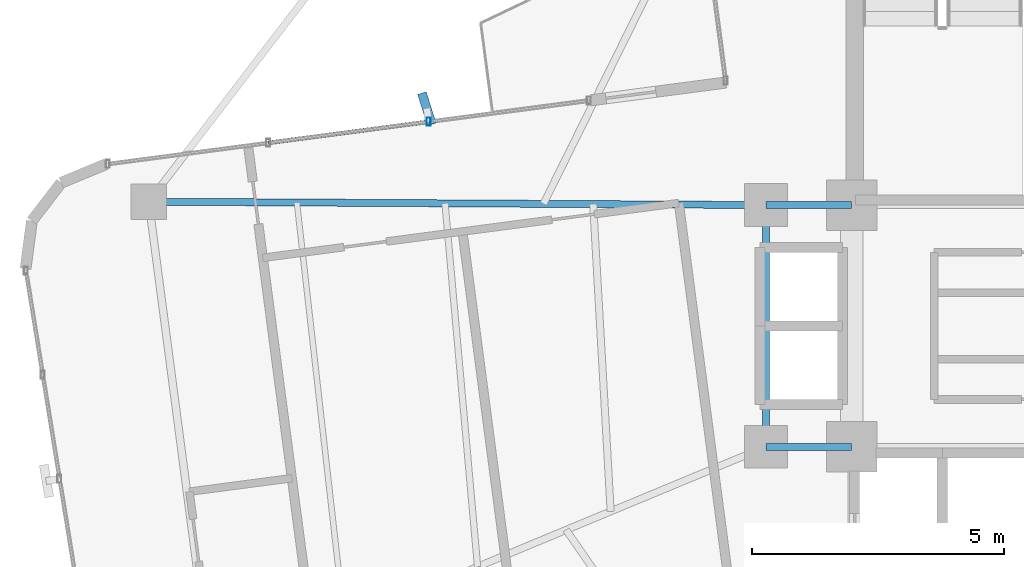
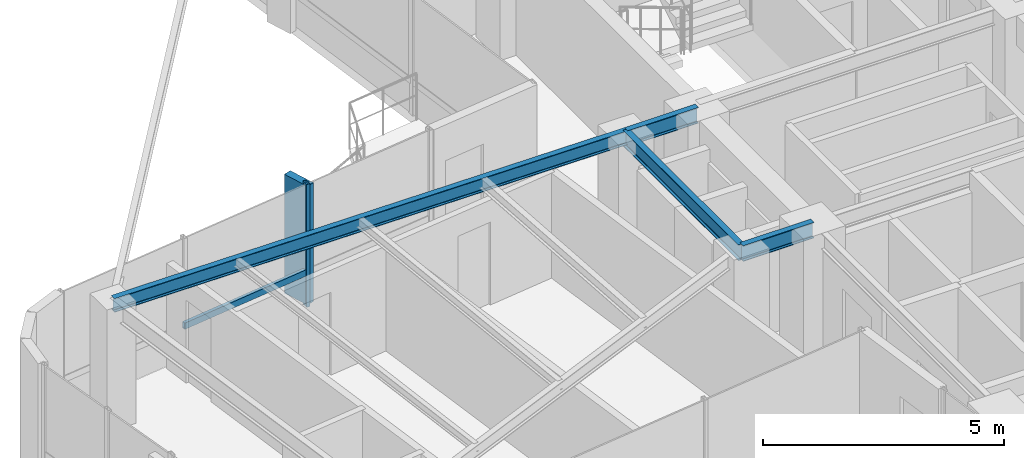
# One storey, part 8 of 22: 4 beams, 3 members, 1 element without a shape of its own.
"""IFC4 building model written with IfcOpenShell, lengths in metres."""

from ifc_helpers import new_model, si_unit, direction, frame, origin, origin_2d, place, context, subcontext, project, spatial, rectangle, hollow_rectangle, i_section, extrude, source, transform, mapped, material, material_profile, profile_set, type_object, element, aggregate, save


model = new_model("IFC4")

# Units and contexts
model_context = context("Model", 3, precision=1e-05, world=origin(), true_north=direction((0.0, 1.0)))
body_context = subcontext(model_context, "Body", "Model", "MODEL_VIEW")
ifc_project = project(units=[si_unit("LENGTHUNIT", "METRE"), si_unit("AREAUNIT", "SQUARE_METRE"), si_unit("VOLUMEUNIT", "CUBIC_METRE"), si_unit("PLANEANGLEUNIT", "RADIAN"), si_unit("MASSUNIT", "GRAM", prefix="KILO")], contexts=[model_context])

# Site, building, storey
site_placement = place(None, origin())
site = spatial("IfcSite", under=ifc_project, at=site_placement, CompositionType="ELEMENT")
building_placement = place(site_placement, origin())
building = spatial("IfcBuilding", under=site, at=building_placement, Name="Sahyath Konkavel Grand Hotel", CompositionType="ELEMENT")
storey_placement = place(building_placement, frame((0.0, 0.0, 247.85009765625)))
storey = spatial("IfcBuildingStorey", under=building, at=storey_placement, Name="L69", CompositionType="ELEMENT", Elevation=247.85009765625)

# Beams
ifc_material_1 = material(Name="Steel E350", Category="steel")
ifc_material_profile_1 = material_profile(ifc_material_1, i_section(OverallWidth=0.139892578125, OverallDepth=0.39990234375, WebThickness=0.0087890625, FlangeThickness=0.01611328125, FilletRadius=0.013916015625, at=origin_2d()), Name="ISMB 400")
ifc_profile_set_1 = profile_set([ifc_material_profile_1], Name="Steel E350")
beam_type_1 = type_object("IfcBeamType", Name="BM-ISMB400", PredefinedType="BEAM", material=ifc_profile_set_1)
shared_shape_1 = source(origin(), body_context, "Body", "SweptSolid", [
    extrude(i_section(OverallWidth=0.139892578125, OverallDepth=0.39990234375, WebThickness=0.0087890625, FlangeThickness=0.01611328125, FilletRadius=0.013916015625, at=origin_2d()), origin(), (0.0, 0.0, 1.0), 1.699951171875),
])
for number, where, z_axis, x_axis, name in (
    (1, (-5.5, 2.39990234375, 2.909912109375), (1.0, 0.0, 0.0), (0.0, 1.0, 0.0), "str:bm:L69:HB-NW"),
    (2, (-5.5, -2.39990234375, 2.909912109375), (1.0, 0.0, 0.0), (0.0, 1.0, 0.0), "str:bm:L69:HB-SW"),
):
    element("IfcBeam", number, at=place(storey_placement, frame(where, z_axis=z_axis, x_axis=x_axis)), inside=storey, type_object=beam_type_1, Name=name, PredefinedType="BEAM", context=body_context, shape_type="MappedRepresentation", body=[
        mapped(shared_shape_1, transform((0.0, 0.0, 0.0), scale=1.0)),
    ])
shared_shape_2 = source(origin(), body_context, "Body", "SweptSolid", [
    extrude(i_section(OverallWidth=0.139892578125, OverallDepth=0.39990234375, WebThickness=0.0087890625, FlangeThickness=0.01611328125, FilletRadius=0.013916015625, at=origin_2d()), origin(), (0.0, 0.0, 1.0), 4.7998046875),
])
beam_1_placement = place(storey_placement, frame((-5.5, -2.39990234375, 2.909912109375), z_axis=(0.0, 1.0, 0.0), x_axis=(-1.0, 0.0, 0.0)))
element("IfcBeam", 3, at=beam_1_placement, inside=storey, type_object=beam_type_1, Name="str:bm:L69:HB-W", PredefinedType="BEAM", context=body_context, shape_type="MappedRepresentation", body=[
    mapped(shared_shape_2, transform((0.0, 0.0, 0.0), scale=1.0)),
])
ifc_material_profile_2 = material_profile(ifc_material_1, i_section(OverallWidth=0.139892578125, OverallDepth=0.35009765625, WebThickness=0.008056640625, FlangeThickness=0.01416015625, FilletRadius=0.013916015625, at=origin_2d()), Name="ISMB 350")
ifc_profile_set_2 = profile_set([ifc_material_profile_2], Name="Steel E350")
beam_type_2 = type_object("IfcBeamType", Name="BM-ISMB350", PredefinedType="BEAM", material=ifc_profile_set_2)
shared_shape_3 = source(origin(), body_context, "Body", "SweptSolid", [
    extrude(i_section(OverallWidth=0.139892578125, OverallDepth=0.35009765625, WebThickness=0.008056640625, FlangeThickness=0.01416015625, FilletRadius=0.013916015625, at=origin_2d()), origin(), (0.0, 0.0, 1.0), 12.254150390625),
])
beam_2_placement = place(storey_placement, frame((-5.5, 2.39990234375, 2.934814453125), z_axis=(-0.999985099789, 0.005458955956, 0.0), x_axis=(-0.005458955956, -0.999985099789, 0.0)))
element("IfcBeam", 4, at=beam_2_placement, inside=storey, type_object=beam_type_2, Name="L69 Cruciform Radial Girder WA", PredefinedType="BEAM", context=body_context, shape_type="MappedRepresentation", body=[
    mapped(shared_shape_3, transform((0.0, 0.0, 0.0), scale=1.0)),
])

# Curtain wall, members
ifc_material_2 = material(Name="Anodised Bronze Aluminium & Low-E Glazing", Category="aluminium")
curtain_wall_type = type_object("IfcCurtainWallType", Name="CW-ZONE4", PredefinedType="NOTDEFINED", material=ifc_material_2)
curtain_wall_placement = place(storey_placement, origin())
curtain_wall = element("IfcCurtainWall", 5, at=curtain_wall_placement, inside=storey, type_object=curtain_wall_type, Name="L69 Unitised Curtain Wall F16", PredefinedType="NOTDEFINED")
ifc_material_3 = material(Name="Anodised Bronze Aluminium", Category="aluminium")
ifc_material_profile_3 = material_profile(ifc_material_3, hollow_rectangle(XDim=0.080078125, YDim=0.159912109375, WallThickness=0.006103515625, at=origin_2d()), Name="RHS 160x80x6")
ifc_profile_set_3 = profile_set([ifc_material_profile_3], Name="Anodised Bronze Aluminium")
member_type_1 = type_object("IfcMemberType", Name="CW-MUL-160", PredefinedType="MULLION", material=ifc_profile_set_3)
shared_shape_4 = source(origin(), body_context, "Body", "SweptSolid", [
    extrude(hollow_rectangle(XDim=0.080078125, YDim=0.159912109375, WallThickness=0.006103515625, at=origin_2d()), origin(), (0.0, 0.0, 1.0), 3.10986328125),
])
member_1_placement = place(storey_placement, frame((-12.198974609375, 4.055419921875, 0.0), z_axis=(0.0, 0.0, 1.0), x_axis=(1.0, 0.0, 0.0)))
member_1 = element("IfcMember", 6, at=member_1_placement, type_object=member_type_1, Name="L69 Curtain Wall Mullion F16-1", PredefinedType="MULLION", context=body_context, shape_type="MappedRepresentation", body=[
    mapped(shared_shape_4, transform((0.0, 0.0, 0.0), scale=1.0)),
])
ifc_material_4 = material(Name="Warm Buff Sandstone Cladding on Concrete C50/60", Category="masonry")
ifc_material_profile_4 = material_profile(ifc_material_4, rectangle(XDim=0.179931640625, YDim=0.64990234375, at=origin_2d()), Name="FIN 180x650")
ifc_profile_set_4 = profile_set([ifc_material_profile_4], Name="Warm Buff Sandstone Cladding on Concrete C50/60")
member_type_2 = type_object("IfcMemberType", Name="FIN-SANDSTONE-650", PredefinedType="MULLION", material=ifc_profile_set_4)
shared_shape_5 = source(origin(), body_context, "Body", "SweptSolid", [
    extrude(rectangle(XDim=0.179931640625, YDim=0.64990234375, at=origin_2d()), origin(), (0.0, 0.0, 1.0), 3.010009765625),
])
member_2_placement = place(storey_placement, frame((-12.23291015625, 4.313232421875, 0.0498046875), z_axis=(0.0, 0.0, 1.0), x_axis=(0.953348857629, 0.301870759858, 0.0)))
member_2 = element("IfcMember", 7, at=member_2_placement, type_object=member_type_2, Name="L69 Sandstone Vertical Solar Fin FIN F16-1", PredefinedType="MULLION", context=body_context, shape_type="MappedRepresentation", body=[
    mapped(shared_shape_5, transform((0.0, 0.0, 0.0), scale=1.0)),
])
ifc_material_profile_5 = material_profile(ifc_material_3, hollow_rectangle(XDim=0.080078125, YDim=0.159912109375, WallThickness=0.006103515625, at=origin_2d()), Name="RHS 160x80x6")
ifc_profile_set_5 = profile_set([ifc_material_profile_5], Name="Anodised Bronze Aluminium")
member_type_3 = type_object("IfcMemberType", Name="CW-TRN-160", PredefinedType="USERDEFINED", material=ifc_profile_set_5)
shared_shape_6 = source(origin(), body_context, "Body", "SweptSolid", [
    extrude(hollow_rectangle(XDim=0.080078125, YDim=0.159912109375, WallThickness=0.006103515625, at=origin_2d()), origin(), (0.0, 0.0, 1.0), 3.21240234375),
])
member_3_placement = place(storey_placement, frame((-12.198974609375, 4.055419921875, 0.849853515625), z_axis=(-0.991439026381, -0.130570505736, 0.0), x_axis=(0.130570505736, -0.991439026381, 0.0)))
member_3 = element("IfcMember", 8, at=member_3_placement, type_object=member_type_3, Name="L69 Curtain Wall Transom F16-1-spandrel", ObjectType="TRANSOM", PredefinedType="USERDEFINED", context=body_context, shape_type="MappedRepresentation", body=[
    mapped(shared_shape_6, transform((0.0, 0.0, 0.0), scale=1.0)),
])
aggregate(curtain_wall, [member_1, member_2, member_3])

save(model, "model.ifc")
